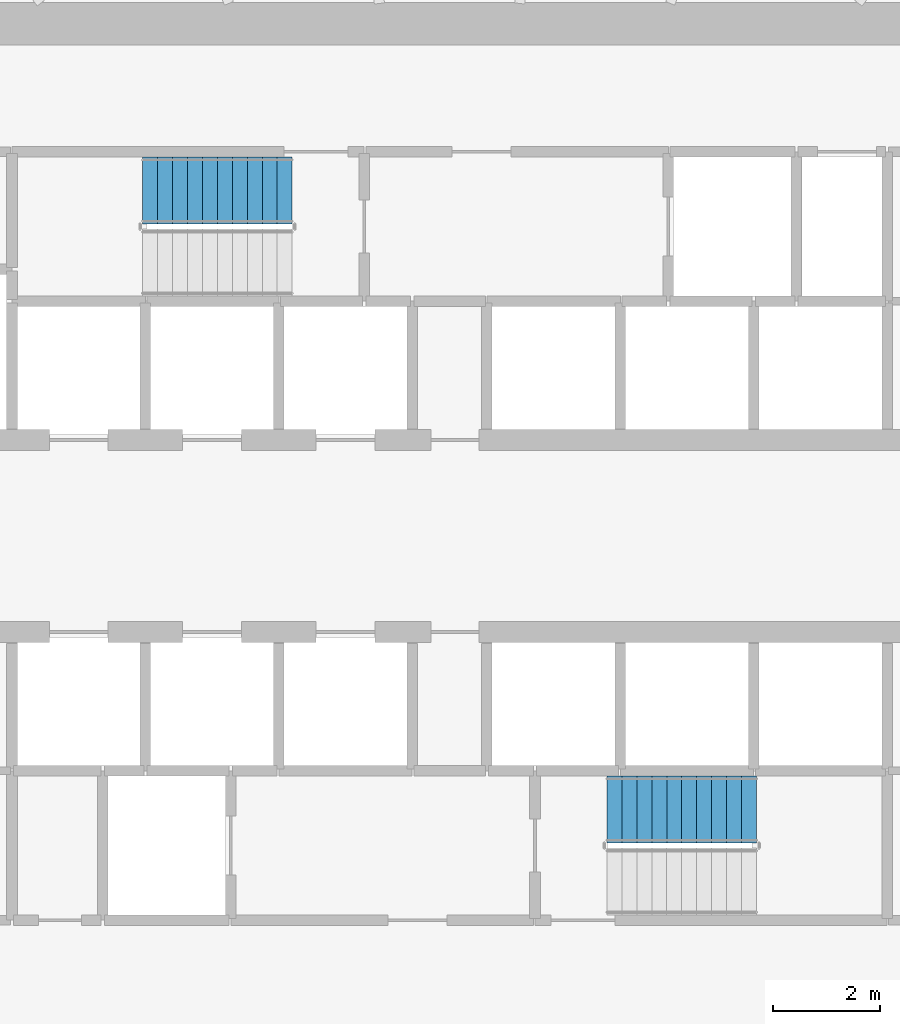
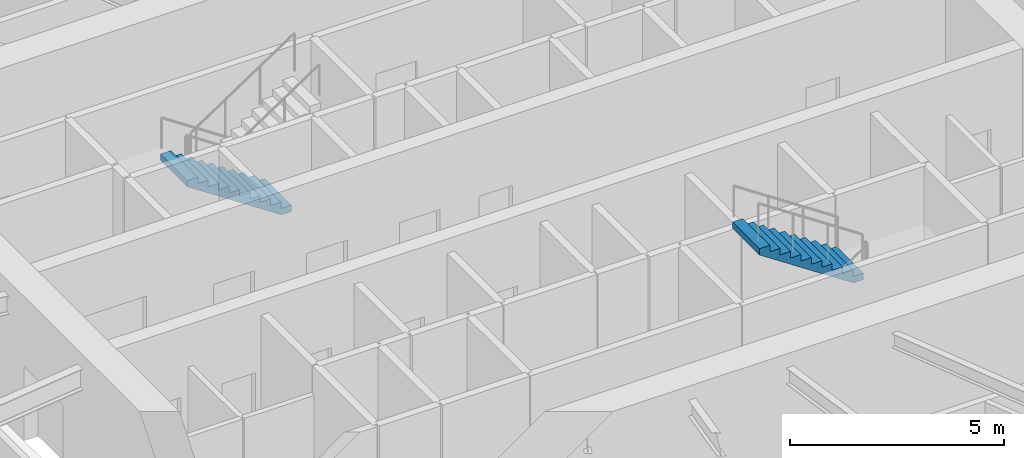
# One storey, part 14 of 17: 2 stair flights, 2 elements without a shape of their own.
"""IFC4 building model written with IfcOpenShell, lengths in metres."""

from ifc_helpers import new_model, si_unit, direction, frame, origin, place, context, subcontext, project, spatial, line, indexed_curve, outline, extrude, material, type_object, element, aggregate, save


model = new_model("IFC4")

# Units and contexts
model_context = context("Model", 3, precision=1e-05, world=origin(), true_north=direction((0.0, 1.0)))
body_context = subcontext(model_context, "Body", "Model", "MODEL_VIEW")
ifc_project = project(units=[si_unit("LENGTHUNIT", "METRE"), si_unit("AREAUNIT", "SQUARE_METRE"), si_unit("VOLUMEUNIT", "CUBIC_METRE"), si_unit("PLANEANGLEUNIT", "RADIAN"), si_unit("MASSUNIT", "GRAM", prefix="KILO")], contexts=[model_context])

# Site, building, storey
site_placement = place(None, origin())
site = spatial("IfcSite", under=ifc_project, at=site_placement, CompositionType="ELEMENT")
building_placement = place(site_placement, origin())
building = spatial("IfcBuilding", under=site, at=building_placement, Name="Spindrift Exchange Tower", CompositionType="ELEMENT")
storey_placement = place(building_placement, frame((0.0, 0.0, 96.199951171875)))
storey = spatial("IfcBuildingStorey", under=building, at=storey_placement, Name="L22", CompositionType="ELEMENT", Elevation=96.199951171875)

# Stair, stair flight
ifc_material = material(Name="Concrete 50 MPa", Category="concrete")
stair_type = type_object("IfcStairType", Name="ST-1250-R186", PredefinedType="HALF_TURN_STAIR", material=ifc_material)
stair_1_placement = place(storey_placement, origin())
stair_1 = element("IfcStair", 1, at=stair_1_placement, inside=storey, type_object=stair_type, Name="L22 Exit stair ST1", PredefinedType="HALF_TURN_STAIR")
stair_flight_type = type_object("IfcStairFlightType", Name="STF-1250-R186", PredefinedType="STRAIGHT", material=ifc_material)
stair_flight_1_placement = place(storey_placement, frame((49.050048828125, 54.47509765625, 0.0), z_axis=(0.0, 0.0, 1.0), x_axis=(-1.0, 0.0, 0.0)))
stair_flight_1 = element("IfcStairFlight", 2, at=stair_flight_1_placement, type_object=stair_flight_type, Name="ST1 flight 1", NumberOfRisers=11, NumberOfTreads=10, PredefinedType="STRAIGHT", RiserHeight=0.186363636, TreadLength=0.28, context=body_context, shape_type="SweptSolid", body=[
    extrude(outline(indexed_curve([(0.0, 0.0), (0.0, 0.1865234375), (0.2802734375, 0.1865234375), (0.2802734375, 0.373046875), (0.5595703125, 0.373046875), (0.5595703125, 0.5595703125), (0.83984375, 0.5595703125), (0.83984375, 0.7451171875), (1.1201171875, 0.7451171875), (1.1201171875, 0.931640625), (1.400390625, 0.931640625), (1.400390625, 1.1181640625), (1.6796875, 1.1181640625), (1.6796875, 1.3046875), (1.9599609375, 1.3046875), (1.9599609375, 1.4912109375), (2.240234375, 1.4912109375), (2.240234375, 1.677734375), (2.51953125, 1.677734375), (2.51953125, 1.86328125), (2.7998046875, 1.86328125), (2.7998046875, 2.0498046875), (2.7998046875, 1.68359375), (0.2705078125, 0.0)], segments=[line(1, 2, 3, 4, 5, 6, 7, 8, 9, 10, 11, 12, 13, 14, 15, 16, 17, 18, 19, 20, 21, 22, 23, 24, 1)], self_intersect=False)), frame((0.0, 0.625, 0.0), z_axis=(0.0, -1.0, 0.0), x_axis=(1.0, 0.0, 0.0)), (0.0, 0.0, 1.0), 1.25),
])
aggregate(stair_1, [stair_flight_1])

stair_2_placement = place(storey_placement, origin())
stair_2 = element("IfcStair", 3, at=stair_2_placement, inside=storey, type_object=stair_type, Name="L22 Exit stair ST2", PredefinedType="HALF_TURN_STAIR")
stair_flight_2_placement = place(storey_placement, frame((57.75, 42.875, 2.050048828125), z_axis=(0.0, 0.0, 1.0), x_axis=(-1.0, 0.0, 0.0)))
stair_flight_2 = element("IfcStairFlight", 4, at=stair_flight_2_placement, type_object=stair_flight_type, Name="ST2 flight 2", NumberOfRisers=11, NumberOfTreads=10, PredefinedType="STRAIGHT", RiserHeight=0.186363636, TreadLength=0.28, context=body_context, shape_type="SweptSolid", body=[
    extrude(outline(indexed_curve([(0.0, 0.0), (0.0, 0.1865234375), (0.2802734375, 0.1865234375), (0.2802734375, 0.373046875), (0.5595703125, 0.373046875), (0.5595703125, 0.5595703125), (0.83984375, 0.5595703125), (0.83984375, 0.7451171875), (1.1201171875, 0.7451171875), (1.1201171875, 0.931640625), (1.400390625, 0.931640625), (1.400390625, 1.1181640625), (1.6796875, 1.1181640625), (1.6796875, 1.3046875), (1.9599609375, 1.3046875), (1.9599609375, 1.4912109375), (2.240234375, 1.4912109375), (2.240234375, 1.677734375), (2.51953125, 1.677734375), (2.51953125, 1.86328125), (2.7998046875, 1.86328125), (2.7998046875, 2.0498046875), (2.7998046875, 1.68359375), (0.2705078125, 0.0)], segments=[line(1, 2, 3, 4, 5, 6, 7, 8, 9, 10, 11, 12, 13, 14, 15, 16, 17, 18, 19, 20, 21, 22, 23, 24, 1)], self_intersect=False)), frame((0.0, 0.625, 0.0), z_axis=(0.0, -1.0, 0.0), x_axis=(1.0, 0.0, 0.0)), (0.0, 0.0, 1.0), 1.25),
])
aggregate(stair_2, [stair_flight_2])

save(model, "model.ifc")
